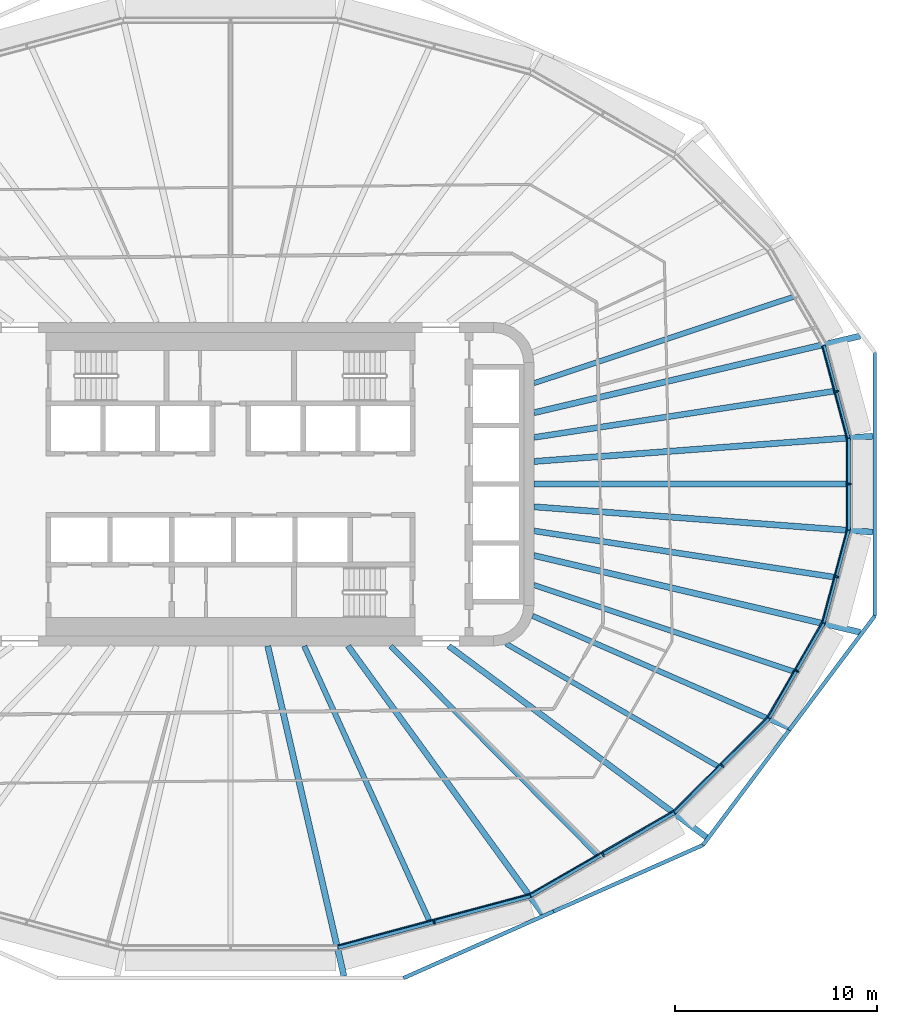
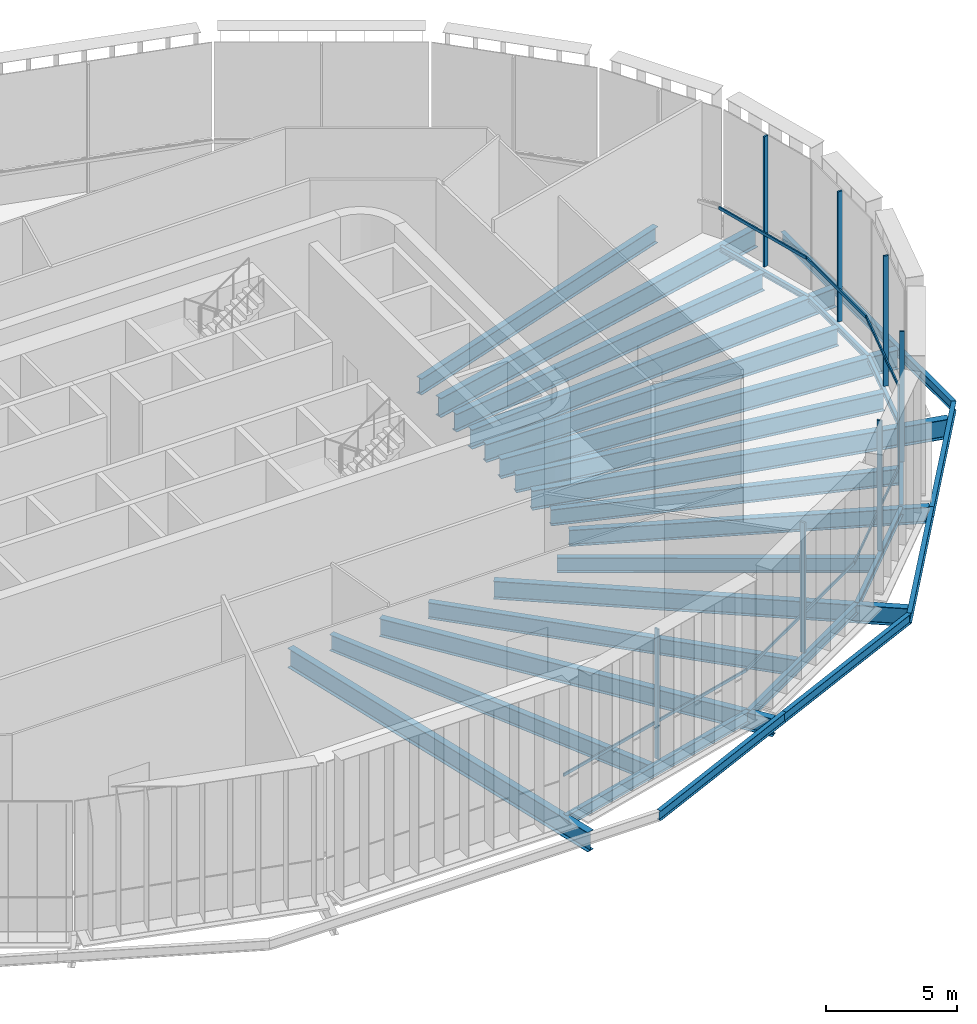
# One storey, part 3 of 18: 28 beams, 14 members, 7 elements without a shape of their own.
"""IFC4 building model written with IfcOpenShell, lengths in metres."""

from ifc_helpers import new_model, si_unit, direction, frame, origin, origin_2d, place, context, subcontext, project, spatial, rectangle, i_section, extrude, material, layer, layer_set, material_profile, profile_set, type_object, element, aggregate, save


model = new_model("IFC4")

# Units and contexts
model_context = context("Model", 3, precision=1e-05, world=origin(), true_north=direction((0.0, 1.0)))
body_context = subcontext(model_context, "Body", "Model", "MODEL_VIEW")
ifc_project = project(units=[si_unit("LENGTHUNIT", "METRE"), si_unit("AREAUNIT", "SQUARE_METRE"), si_unit("VOLUMEUNIT", "CUBIC_METRE"), si_unit("PLANEANGLEUNIT", "RADIAN"), si_unit("MASSUNIT", "GRAM", prefix="KILO")], contexts=[model_context])

# Site, building, storey
site_placement = place(None, origin())
site = spatial("IfcSite", under=ifc_project, at=site_placement, CompositionType="ELEMENT")
building_placement = place(site_placement, origin())
building = spatial("IfcBuilding", under=site, at=building_placement, Name="Sahrelin Media Tower", CompositionType="ELEMENT")
storey_placement = place(building_placement, frame((0.0, 0.0, 203.0)))
storey = spatial("IfcBuildingStorey", under=building, at=storey_placement, Name="L43", CompositionType="ELEMENT", Elevation=203.0)

# Beams
ifc_material_1 = material(Name="Steel S355", Category="steel")
ifc_material_profile_1 = material_profile(ifc_material_1, i_section(OverallWidth=0.14599609375, OverallDepth=0.25146484375, WebThickness=0.006103515625, FlangeThickness=0.008544921875, FilletRadius=0.007568359375, at=origin_2d()), Name="UB 254x146x31")
ifc_profile_set_1 = profile_set([ifc_material_profile_1], Name="Steel S355")
beam_type_1 = type_object("IfcBeamType", Name="Edge beam EB1", PredefinedType="BEAM", material=ifc_profile_set_1)
beam_1_placement = place(storey_placement, frame((30.56298828125, 2.2607421875, -0.32568359375), z_axis=(0.0, -1.0, 0.0), x_axis=(1.0, 0.0, 0.0)))
element("IfcBeam", 1, at=beam_1_placement, inside=storey, type_object=beam_type_1, Name="Edge beam L43-01", PredefinedType="BEAM", context=body_context, shape_type="SweptSolid", body=[
    extrude(i_section(OverallWidth=0.14599609375, OverallDepth=0.25146484375, WebThickness=0.006103515625, FlangeThickness=0.008544921875, FilletRadius=0.007568359375, at=origin_2d()), origin(), (0.0, 0.0, 1.0), 4.521484375),
])
for number, where, z_axis, x_axis, name in (
    (2, (30.55908203125, -2.289306640625, -0.32568359375), (-0.258792820704, -0.965932852714, 0.0), (0.965932852714, -0.258792820704, 0.0), "Edge beam L43-02"),
    (3, (29.33447265625, 6.860107421875, -0.32568359375), (0.258792820704, -0.965932852714, 0.0), (0.965932852714, 0.258792820704, 0.0), "Edge beam L43-24"),
):
    element("IfcBeam", number, at=place(storey_placement, frame(where, z_axis=z_axis, x_axis=x_axis)), inside=storey, type_object=beam_type_1, Name=name, PredefinedType="BEAM", context=body_context, shape_type="SweptSolid", body=[
        extrude(i_section(OverallWidth=0.14599609375, OverallDepth=0.25146484375, WebThickness=0.006103515625, FlangeThickness=0.008544921875, FilletRadius=0.007568359375, at=origin_2d()), origin(), (0.0, 0.0, 1.0), 4.73193359375),
    ])
ifc_material_profile_2 = material_profile(ifc_material_1, i_section(OverallWidth=0.1650390625, OverallDepth=0.303466796875, WebThickness=0.006103515625, FlangeThickness=0.01025390625, FilletRadius=0.0087890625, at=origin_2d()), Name="UB 305x165x40")
ifc_profile_set_2 = profile_set([ifc_material_profile_2], Name="Steel S355")
beam_type_2 = type_object("IfcBeamType", Name="Edge beam EB2", PredefinedType="BEAM", material=ifc_profile_set_2)
beam_2_placement = place(storey_placement, frame((29.323486328125, -6.88671875, -0.351806640625), z_axis=(-0.500004571255, -0.866022764553, 0.0), x_axis=(0.866022764553, -0.500004571255, 0.0)))
element("IfcBeam", 4, at=beam_2_placement, inside=storey, type_object=beam_type_2, Name="Edge beam L43-03", PredefinedType="BEAM", context=body_context, shape_type="SweptSolid", body=[
    extrude(i_section(OverallWidth=0.1650390625, OverallDepth=0.303466796875, WebThickness=0.006103515625, FlangeThickness=0.01025390625, FilletRadius=0.0087890625, at=origin_2d()), origin(), (0.0, 0.0, 1.0), 5.3935546875),
])
ifc_material_profile_3 = material_profile(ifc_material_1, i_section(OverallWidth=0.17138671875, OverallDepth=0.35498046875, WebThickness=0.00732421875, FlangeThickness=0.011474609375, FilletRadius=0.01025390625, at=origin_2d()), Name="UB 356x171x51")
ifc_profile_set_3 = profile_set([ifc_material_profile_3], Name="Steel S355")
beam_type_3 = type_object("IfcBeamType", Name="Edge beam EB3", PredefinedType="BEAM", material=ifc_profile_set_3)
beam_3_placement = place(storey_placement, frame((26.609130859375, -11.58056640625, -0.37744140625), z_axis=(-0.707106781187, -0.707106781187, 0.0), x_axis=(0.707106781187, -0.707106781187, 0.0)))
element("IfcBeam", 5, at=beam_3_placement, inside=storey, type_object=beam_type_3, Name="Edge beam L43-04", PredefinedType="BEAM", context=body_context, shape_type="SweptSolid", body=[
    extrude(i_section(OverallWidth=0.17138671875, OverallDepth=0.35498046875, WebThickness=0.00732421875, FlangeThickness=0.011474609375, FilletRadius=0.01025390625, at=origin_2d()), origin(), (0.0, 0.0, 1.0), 6.566650390625),
])
ifc_material_profile_4 = material_profile(ifc_material_1, i_section(OverallWidth=0.1904296875, OverallDepth=0.45703125, WebThickness=0.009033203125, FlangeThickness=0.014404296875, FilletRadius=0.01025390625, at=origin_2d()), Name="UB 457x191x74")
ifc_profile_set_4 = profile_set([ifc_material_profile_4], Name="Steel S355")
beam_type_4 = type_object("IfcBeamType", Name="Edge beam EB5", PredefinedType="BEAM", material=ifc_profile_set_4)
beam_4_placement = place(storey_placement, frame((21.943115234375, -16.2412109375, -0.428466796875), z_axis=(-0.866017504342, -0.500013681986, 0.0), x_axis=(0.500013681986, -0.866017504342, 0.0)))
element("IfcBeam", 6, at=beam_4_placement, inside=storey, type_object=beam_type_4, Name="Edge beam L43-05", PredefinedType="BEAM", context=body_context, shape_type="SweptSolid", body=[
    extrude(i_section(OverallWidth=0.1904296875, OverallDepth=0.45703125, WebThickness=0.009033203125, FlangeThickness=0.014404296875, FilletRadius=0.01025390625, at=origin_2d()), origin(), (0.0, 0.0, 1.0), 8.199951171875),
])
ifc_material_profile_5 = material_profile(ifc_material_1, i_section(OverallWidth=0.208740234375, OverallDepth=0.5283203125, WebThickness=0.009521484375, FlangeThickness=0.01318359375, FilletRadius=0.0126953125, at=origin_2d()), Name="UB 533x210x82")
ifc_profile_set_5 = profile_set([ifc_material_profile_5], Name="Steel S355")
beam_type_5 = type_object("IfcBeamType", Name="Edge beam EB6", PredefinedType="BEAM", material=ifc_profile_set_5)
beam_5_placement = place(storey_placement, frame((14.815185546875, -20.352294921875, -0.464111328125), z_axis=(-0.965925344351, -0.258820843714, 0.0), x_axis=(0.258820843714, -0.965925344351, 0.0)))
element("IfcBeam", 7, at=beam_5_placement, inside=storey, type_object=beam_type_5, Name="Edge beam L43-06", PredefinedType="BEAM", context=body_context, shape_type="SweptSolid", body=[
    extrude(i_section(OverallWidth=0.208740234375, OverallDepth=0.5283203125, WebThickness=0.009521484375, FlangeThickness=0.01318359375, FilletRadius=0.0126953125, at=origin_2d()), origin(), (0.0, 0.0, 1.0), 9.83837890625),
])

# Curtain wall, member
ifc_material_2 = material(Name="Champagne anodised aluminium 6063-T6", Category="aluminium")
ifc_layer = layer(ifc_material_2, 0.14990234375)
ifc_layer_set = layer_set([ifc_layer], Name="Sky lobby curtain wall")
curtain_wall_type = type_object("IfcCurtainWallType", Name="Sky lobby curtain wall", PredefinedType="NOTDEFINED", material=ifc_layer_set)
curtain_wall_1_placement = place(storey_placement, frame((30.712890625, 0.0, 0.0), z_axis=(0.0, 0.0, 1.0), x_axis=(1.0, 0.0, 0.0)))
curtain_wall_1 = element("IfcCurtainWall", 8, at=curtain_wall_1_placement, inside=storey, type_object=curtain_wall_type, Name="L43:CW:L43-00", PredefinedType="NOTDEFINED")
ifc_material_profile_6 = material_profile(ifc_material_2, rectangle(XDim=0.080078125, YDim=0.199951171875, at=origin_2d()), Name="Mullion 80x200")
ifc_profile_set_6 = profile_set([ifc_material_profile_6], Name="Champagne anodised aluminium 6063-T6")
member_type_1 = type_object("IfcMemberType", Name="Mullion 80x200 CW2", PredefinedType="MULLION", material=ifc_profile_set_6)
member_1_placement = place(storey_placement, frame((30.593017578125, 0.0, 0.0), z_axis=(0.0, 0.0, 1.0), x_axis=(0.0, 1.0, 0.0)))
member_1 = element("IfcMember", 9, at=member_1_placement, type_object=member_type_1, Name="L43:CWM:L43-00", PredefinedType="MULLION", context=body_context, shape_type="SweptSolid", body=[
    extrude(rectangle(XDim=0.080078125, YDim=0.199951171875, at=origin_2d()), origin(), (0.0, 0.0, 1.0), 6.048583984375),
])

curtain_wall_2_placement = place(storey_placement, frame((30.091796875, 4.613525390625, 0.0), z_axis=(0.0, 0.0, 1.0), x_axis=(1.0, 0.0, 0.0)))
curtain_wall_2 = element("IfcCurtainWall", 10, at=curtain_wall_2_placement, inside=storey, type_object=curtain_wall_type, Name="L43:CW:L43-01", PredefinedType="NOTDEFINED")
member_2_placement = place(storey_placement, frame((29.975830078125, 4.58251953125, 0.0), z_axis=(0.0, 0.0, 1.0), x_axis=(-0.258822416818, 0.965924922834, 0.0)))
member_2 = element("IfcMember", 11, at=member_2_placement, type_object=member_type_1, Name="L43:CWM:L43-01", PredefinedType="MULLION", context=body_context, shape_type="SweptSolid", body=[
    extrude(rectangle(XDim=0.080078125, YDim=0.199951171875, at=origin_2d()), origin(), (0.0, 0.0, 1.0), 6.048583984375),
])

curtain_wall_3_placement = place(storey_placement, frame((10.102294921875, -21.7705078125, 0.0), z_axis=(0.0, 0.0, 1.0), x_axis=(1.0, 0.0, 0.0)))
curtain_wall_3 = element("IfcCurtainWall", 12, at=curtain_wall_3_placement, inside=storey, type_object=curtain_wall_type, Name="L43:CW:L43-19", PredefinedType="NOTDEFINED")
member_3_placement = place(storey_placement, frame((10.0712890625, -21.654296875, 0.0), z_axis=(0.0, 0.0, 1.0), x_axis=(0.965924922834, 0.258822416818, 0.0)))
member_3 = element("IfcMember", 13, at=member_3_placement, type_object=member_type_1, Name="L43:CWM:L43-19", PredefinedType="MULLION", context=body_context, shape_type="SweptSolid", body=[
    extrude(rectangle(XDim=0.080078125, YDim=0.199951171875, at=origin_2d()), origin(), (0.0, 0.0, 1.0), 6.048583984375),
])

curtain_wall_4_placement = place(storey_placement, frame((18.46728515625, -18.421142578125, 0.0), z_axis=(0.0, 0.0, 1.0), x_axis=(1.0, 0.0, 0.0)))
curtain_wall_4 = element("IfcCurtainWall", 14, at=curtain_wall_4_placement, inside=storey, type_object=curtain_wall_type, Name="L43:CW:L43-20", PredefinedType="NOTDEFINED")
member_4_placement = place(storey_placement, frame((18.407470703125, -18.3173828125, 0.0), z_axis=(0.0, 0.0, 1.0), x_axis=(0.866027149108, 0.499996976998, 0.0)))
member_4 = element("IfcMember", 15, at=member_4_placement, type_object=member_type_1, Name="L43:CWM:L43-20", PredefinedType="MULLION", context=body_context, shape_type="SweptSolid", body=[
    extrude(rectangle(XDim=0.080078125, YDim=0.199951171875, at=origin_2d()), origin(), (0.0, 0.0, 1.0), 6.048583984375),
])

curtain_wall_5_placement = place(storey_placement, frame((24.3935546875, -14.00830078125, 0.0), z_axis=(0.0, 0.0, 1.0), x_axis=(1.0, 0.0, 0.0)))
curtain_wall_5 = element("IfcCurtainWall", 16, at=curtain_wall_5_placement, inside=storey, type_object=curtain_wall_type, Name="L43:CW:L43-21", PredefinedType="NOTDEFINED")
member_5_placement = place(storey_placement, frame((24.30859375, -13.92333984375, 0.0), z_axis=(0.0, 0.0, 1.0), x_axis=(0.707106781187, 0.707106781187, 0.0)))
member_5 = element("IfcMember", 17, at=member_5_placement, type_object=member_type_1, Name="L43:CWM:L43-21", PredefinedType="MULLION", context=body_context, shape_type="SweptSolid", body=[
    extrude(rectangle(XDim=0.080078125, YDim=0.199951171875, at=origin_2d()), origin(), (0.0, 0.0, 1.0), 6.048583984375),
])

curtain_wall_6_placement = place(storey_placement, frame((28.10498046875, -9.297119140625, 0.0), z_axis=(0.0, 0.0, 1.0), x_axis=(1.0, 0.0, 0.0)))
curtain_wall_6 = element("IfcCurtainWall", 18, at=curtain_wall_6_placement, inside=storey, type_object=curtain_wall_type, Name="L43:CW:L43-22", PredefinedType="NOTDEFINED")
member_6_placement = place(storey_placement, frame((28.001220703125, -9.2373046875, 0.0), z_axis=(0.0, 0.0, 1.0), x_axis=(0.500003022996, 0.86602365845, 0.0)))
member_6 = element("IfcMember", 19, at=member_6_placement, type_object=member_type_1, Name="L43:CWM:L43-22", PredefinedType="MULLION", context=body_context, shape_type="SweptSolid", body=[
    extrude(rectangle(XDim=0.080078125, YDim=0.199951171875, at=origin_2d()), origin(), (0.0, 0.0, 1.0), 6.048583984375),
])

curtain_wall_7_placement = place(storey_placement, frame((30.091796875, -4.613525390625, 0.0), z_axis=(0.0, 0.0, 1.0), x_axis=(1.0, 0.0, 0.0)))
curtain_wall_7 = element("IfcCurtainWall", 20, at=curtain_wall_7_placement, inside=storey, type_object=curtain_wall_type, Name="L43:CW:L43-23", PredefinedType="NOTDEFINED")
member_7_placement = place(storey_placement, frame((29.975830078125, -4.58251953125, 0.0), z_axis=(0.0, 0.0, 1.0), x_axis=(0.258822416818, 0.965924922834, 0.0)))
member_7 = element("IfcMember", 21, at=member_7_placement, type_object=member_type_1, Name="L43:CWM:L43-23", PredefinedType="MULLION", context=body_context, shape_type="SweptSolid", body=[
    extrude(rectangle(XDim=0.080078125, YDim=0.199951171875, at=origin_2d()), origin(), (0.0, 0.0, 1.0), 6.048583984375),
])

# Beams
ifc_material_profile_7 = material_profile(ifc_material_1, i_section(OverallWidth=0.291748046875, OverallDepth=0.8349609375, WebThickness=0.013916015625, FlangeThickness=0.018798828125, FilletRadius=0.017822265625, at=origin_2d()), Name="UB 838x292x176")
ifc_profile_set_7 = profile_set([ifc_material_profile_7], Name="Steel S355")
beam_type_6 = type_object("IfcBeamType", Name="Radial primary beam PB10", PredefinedType="BEAM", material=ifc_profile_set_7)
beam_6_placement = place(storey_placement, frame((5.81298828125, -8.0, -0.617431640625), z_axis=(0.587812672257, -0.808997071895, 0.0), x_axis=(0.808997071895, 0.587812672257, 0.0)))
element("IfcBeam", 22, at=beam_6_placement, inside=storey, type_object=beam_type_6, Name="Radial beam L43-20", PredefinedType="BEAM", context=body_context, shape_type="SweptSolid", body=[
    extrude(i_section(OverallWidth=0.291748046875, OverallDepth=0.8349609375, WebThickness=0.013916015625, FlangeThickness=0.018798828125, FilletRadius=0.017822265625, at=origin_2d()), origin(), (0.0, 0.0, 1.0), 16.3779296875),
])
beam_7_placement = place(storey_placement, frame((10.78515625, -8.0, -0.617431640625), z_axis=(0.803161934707, -0.595760779708, 0.0), x_axis=(0.595760779708, 0.803161934707, 0.0)))
element("IfcBeam", 23, at=beam_7_placement, inside=storey, type_object=beam_type_6, Name="Radial beam L43-21", PredefinedType="BEAM", context=body_context, shape_type="SweptSolid", body=[
    extrude(i_section(OverallWidth=0.291748046875, OverallDepth=0.8349609375, WebThickness=0.013916015625, FlangeThickness=0.018798828125, FilletRadius=0.017822265625, at=origin_2d()), origin(), (0.0, 0.0, 1.0), 15.862060546875),
])
ifc_material_profile_8 = material_profile(ifc_material_1, i_section(OverallWidth=0.30322265625, OverallDepth=0.903076171875, WebThickness=0.01513671875, FlangeThickness=0.020263671875, FilletRadius=0.01904296875, at=origin_2d()), Name="UB 914x305x201")
ifc_profile_set_8 = profile_set([ifc_material_profile_8], Name="Steel S355")
beam_type_7 = type_object("IfcBeamType", Name="Radial primary beam PB11", PredefinedType="BEAM", material=ifc_profile_set_8)
beam_8_placement = place(storey_placement, frame((15.0, 1.120849609375, -0.651611328125), z_axis=(0.997219244381, 0.074523678357, 0.0), x_axis=(-0.074523678357, 0.997219244381, 0.0)))
element("IfcBeam", 24, at=beam_8_placement, inside=storey, type_object=beam_type_7, Name="Radial beam L43-01", PredefinedType="BEAM", context=body_context, shape_type="SweptSolid", body=[
    extrude(i_section(OverallWidth=0.30322265625, OverallDepth=0.903076171875, WebThickness=0.01513671875, FlangeThickness=0.020263671875, FilletRadius=0.01904296875, at=origin_2d()), origin(), (0.0, 0.0, 1.0), 16.79931640625),
])
beam_9_placement = place(storey_placement, frame((15.0, 3.5283203125, -0.651611328125), z_axis=(0.973430699068, 0.228981820484, 0.0), x_axis=(-0.228981820484, 0.973430699068, 0.0)))
element("IfcBeam", 25, at=beam_9_placement, inside=storey, type_object=beam_type_7, Name="Radial beam L43-02", PredefinedType="BEAM", context=body_context, shape_type="SweptSolid", body=[
    extrude(i_section(OverallWidth=0.30322265625, OverallDepth=0.903076171875, WebThickness=0.01513671875, FlangeThickness=0.020263671875, FilletRadius=0.01904296875, at=origin_2d()), origin(), (0.0, 0.0, 1.0), 16.562255859375),
])
beam_10_placement = place(storey_placement, frame((1.845458984375, -8.0, -0.651611328125), z_axis=(0.224776450288, -0.97441035883, 0.0), x_axis=(0.97441035883, 0.224776450288, 0.0)))
element("IfcBeam", 26, at=beam_10_placement, inside=storey, type_object=beam_type_7, Name="Radial beam L43-19", PredefinedType="BEAM", context=body_context, shape_type="SweptSolid", body=[
    extrude(i_section(OverallWidth=0.30322265625, OverallDepth=0.903076171875, WebThickness=0.01513671875, FlangeThickness=0.020263671875, FilletRadius=0.01904296875, at=origin_2d()), origin(), (0.0, 0.0, 1.0), 16.7451171875),
])
beam_11_placement = place(storey_placement, frame((15.0, -3.5283203125, -0.651611328125), z_axis=(0.973430699068, -0.228981820484, 0.0), x_axis=(0.228981820484, 0.973430699068, 0.0)))
element("IfcBeam", 27, at=beam_11_placement, inside=storey, type_object=beam_type_7, Name="Radial beam L43-23", PredefinedType="BEAM", context=body_context, shape_type="SweptSolid", body=[
    extrude(i_section(OverallWidth=0.30322265625, OverallDepth=0.903076171875, WebThickness=0.01513671875, FlangeThickness=0.020263671875, FilletRadius=0.01904296875, at=origin_2d()), origin(), (0.0, 0.0, 1.0), 16.562255859375),
])
beam_12_placement = place(storey_placement, frame((15.0, -1.120849609375, -0.651611328125), z_axis=(0.997219244381, -0.074523678357, 0.0), x_axis=(0.074523678357, 0.997219244381, 0.0)))
element("IfcBeam", 28, at=beam_12_placement, inside=storey, type_object=beam_type_7, Name="Radial beam L43-24", PredefinedType="BEAM", context=body_context, shape_type="SweptSolid", body=[
    extrude(i_section(OverallWidth=0.30322265625, OverallDepth=0.903076171875, WebThickness=0.01513671875, FlangeThickness=0.020263671875, FilletRadius=0.01904296875, at=origin_2d()), origin(), (0.0, 0.0, 1.0), 16.79931640625),
])
ifc_material_profile_9 = material_profile(ifc_material_1, i_section(OverallWidth=0.26513671875, OverallDepth=0.75390625, WebThickness=0.0126953125, FlangeThickness=0.017578125, FilletRadius=0.0166015625, at=origin_2d()), Name="UB 762x267x147")
ifc_profile_set_9 = profile_set([ifc_material_profile_9], Name="Steel S355")
beam_type_8 = type_object("IfcBeamType", Name="Radial primary beam PB9", PredefinedType="BEAM", material=ifc_profile_set_9)
beam_13_placement = place(storey_placement, frame((14.9326171875, -6.5126953125, -0.576904296875), z_axis=(0.916606423673, -0.399790775384, 0.0), x_axis=(0.399790775384, 0.916606423673, 0.0)))
element("IfcBeam", 29, at=beam_13_placement, inside=storey, type_object=beam_type_8, Name="Radial beam L43-22", PredefinedType="BEAM", context=body_context, shape_type="SweptSolid", body=[
    extrude(i_section(OverallWidth=0.26513671875, OverallDepth=0.75390625, WebThickness=0.0126953125, FlangeThickness=0.017578125, FilletRadius=0.0166015625, at=origin_2d()), origin(), (0.0, 0.0, 1.0), 13.806640625),
])
ifc_material_profile_10 = material_profile(ifc_material_1, i_section(OverallWidth=0.291748046875, OverallDepth=0.8349609375, WebThickness=0.013916015625, FlangeThickness=0.018798828125, FilletRadius=0.017822265625, at=origin_2d()), Name="UB 838x292x176")
ifc_profile_set_10 = profile_set([ifc_material_profile_10], Name="Steel S355")
beam_type_9 = type_object("IfcBeamType", Name="Radial secondary beam SB10", PredefinedType="BEAM", material=ifc_profile_set_10)
for number, where, z_axis, x_axis, name in (
    (30, (15.0, 2.31005859375, -0.617431640625), (0.98834747674, 0.152214536829, 0.0), (-0.152214536829, 0.98834747674, 0.0), "Secondary beam L43-01"),
    (31, (15.0, -2.31005859375, -0.617431640625), (0.98834747674, -0.152214536829, 0.0), (0.152214536829, 0.98834747674, 0.0), "Secondary beam L43-23"),
):
    element("IfcBeam", number, at=place(storey_placement, frame(where, z_axis=z_axis, x_axis=x_axis)), inside=storey, type_object=beam_type_9, Name=name, PredefinedType="BEAM", context=body_context, shape_type="SweptSolid", body=[
        extrude(i_section(OverallWidth=0.291748046875, OverallDepth=0.8349609375, WebThickness=0.013916015625, FlangeThickness=0.018798828125, FilletRadius=0.017822265625, at=origin_2d()), origin(), (0.0, 0.0, 1.0), 15.0400390625),
    ])
beam_14_placement = place(storey_placement, frame((15.0, 0.0, -0.617431640625), z_axis=(1.0, 0.0, 0.0), x_axis=(0.0, 1.0, 0.0)))
element("IfcBeam", 32, at=beam_14_placement, inside=storey, type_object=beam_type_9, Name="Secondary beam L43-24", PredefinedType="BEAM", context=body_context, shape_type="SweptSolid", body=[
    extrude(i_section(OverallWidth=0.291748046875, OverallDepth=0.8349609375, WebThickness=0.013916015625, FlangeThickness=0.018798828125, FilletRadius=0.017822265625, at=origin_2d()), origin(), (0.0, 0.0, 1.0), 15.489990234375),
])
ifc_material_profile_11 = material_profile(ifc_material_1, i_section(OverallWidth=0.2529296875, OverallDepth=0.677978515625, WebThickness=0.01171875, FlangeThickness=0.01611328125, FilletRadius=0.01513671875, at=origin_2d()), Name="UB 686x254x125")
ifc_profile_set_11 = profile_set([ifc_material_profile_11], Name="Steel S355")
beam_type_10 = type_object("IfcBeamType", Name="Radial secondary beam SB8", PredefinedType="BEAM", material=ifc_profile_set_11)
beam_15_placement = place(storey_placement, frame((13.625244140625, -7.88720703125, -0.538818359375), z_axis=(0.86545065699, -0.500994171938, 0.0), x_axis=(0.500994171938, 0.86545065699, 0.0)))
element("IfcBeam", 33, at=beam_15_placement, inside=storey, type_object=beam_type_10, Name="Secondary beam L43-21", PredefinedType="BEAM", context=body_context, shape_type="SweptSolid", body=[
    extrude(i_section(OverallWidth=0.2529296875, OverallDepth=0.677978515625, WebThickness=0.01171875, FlangeThickness=0.01611328125, FilletRadius=0.01513671875, at=origin_2d()), origin(), (0.0, 0.0, 1.0), 12.115966796875),
])
ifc_material_profile_12 = material_profile(ifc_material_1, i_section(OverallWidth=0.26513671875, OverallDepth=0.75390625, WebThickness=0.0126953125, FlangeThickness=0.017578125, FilletRadius=0.0166015625, at=origin_2d()), Name="UB 762x267x147")
ifc_profile_set_12 = profile_set([ifc_material_profile_12], Name="Steel S355")
beam_type_11 = type_object("IfcBeamType", Name="Radial secondary beam SB9", PredefinedType="BEAM", material=ifc_profile_set_12)
beam_16_placement = place(storey_placement, frame((15.0, 4.989990234375, -0.576904296875), z_axis=(0.948875953334, 0.315649212236, 0.0), x_axis=(-0.315649212236, 0.948875953334, 0.0)))
element("IfcBeam", 34, at=beam_16_placement, inside=storey, type_object=beam_type_11, Name="Secondary beam L43-02", PredefinedType="BEAM", context=body_context, shape_type="SweptSolid", body=[
    extrude(i_section(OverallWidth=0.26513671875, OverallDepth=0.75390625, WebThickness=0.0126953125, FlangeThickness=0.017578125, FilletRadius=0.0166015625, at=origin_2d()), origin(), (0.0, 0.0, 1.0), 13.547119140625),
])
beam_17_placement = place(storey_placement, frame((3.645263671875, -8.0, -0.576904296875), z_axis=(0.414626182867, -0.909991828799, 0.0), x_axis=(0.909991828799, 0.414626182867, 0.0)))
element("IfcBeam", 35, at=beam_17_placement, inside=storey, type_object=beam_type_11, Name="Secondary beam L43-19", PredefinedType="BEAM", context=body_context, shape_type="SweptSolid", body=[
    extrude(i_section(OverallWidth=0.26513671875, OverallDepth=0.75390625, WebThickness=0.0126953125, FlangeThickness=0.017578125, FilletRadius=0.0166015625, at=origin_2d()), origin(), (0.0, 0.0, 1.0), 14.922607421875),
])
beam_18_placement = place(storey_placement, frame((7.921630859375, -8.0, -0.576904296875), z_axis=(0.70361995026, -0.710576502283, 0.0), x_axis=(0.710576502283, 0.70361995026, 0.0)))
element("IfcBeam", 36, at=beam_18_placement, inside=storey, type_object=beam_type_11, Name="Secondary beam L43-20", PredefinedType="BEAM", context=body_context, shape_type="SweptSolid", body=[
    extrude(i_section(OverallWidth=0.26513671875, OverallDepth=0.75390625, WebThickness=0.0126953125, FlangeThickness=0.017578125, FilletRadius=0.0166015625, at=origin_2d()), origin(), (0.0, 0.0, 1.0), 14.529296875),
])
beam_19_placement = place(storey_placement, frame((15.0, -4.989990234375, -0.576904296875), z_axis=(0.948875953334, -0.315649212236, 0.0), x_axis=(0.315649212236, 0.948875953334, 0.0)))
element("IfcBeam", 37, at=beam_19_placement, inside=storey, type_object=beam_type_11, Name="Secondary beam L43-22", PredefinedType="BEAM", context=body_context, shape_type="SweptSolid", body=[
    extrude(i_section(OverallWidth=0.26513671875, OverallDepth=0.75390625, WebThickness=0.0126953125, FlangeThickness=0.017578125, FilletRadius=0.0166015625, at=origin_2d()), origin(), (0.0, 0.0, 1.0), 13.547119140625),
])
ifc_material_profile_13 = material_profile(ifc_material_1, i_section(OverallWidth=0.1904296875, OverallDepth=0.45703125, WebThickness=0.009033203125, FlangeThickness=0.014404296875, FilletRadius=0.01025390625, at=origin_2d()), Name="UB 457x191x74")
ifc_profile_set_13 = profile_set([ifc_material_profile_13], Name="Steel S355")
beam_type_12 = type_object("IfcBeamType", Name="Tie chord TC5", PredefinedType="BEAM", material=ifc_profile_set_13)
beam_20_placement = place(storey_placement, frame((31.847900390625, 6.51220703125, -0.428466796875), z_axis=(0.0, -1.0, 0.0), x_axis=(1.0, 0.0, 0.0)))
element("IfcBeam", 38, at=beam_20_placement, inside=storey, type_object=beam_type_12, Name="Tie chord L43-01", PredefinedType="BEAM", context=body_context, shape_type="SweptSolid", body=[
    extrude(i_section(OverallWidth=0.1904296875, OverallDepth=0.45703125, WebThickness=0.009033203125, FlangeThickness=0.014404296875, FilletRadius=0.01025390625, at=origin_2d()), origin(), (0.0, 0.0, 1.0), 13.0244140625),
])
beam_21_placement = place(storey_placement, frame((31.847900390625, -6.51220703125, -0.428466796875), z_axis=(-0.600071899734, -0.799946070151, 0.0), x_axis=(0.799946070151, -0.600071899734, 0.0)))
element("IfcBeam", 39, at=beam_21_placement, inside=storey, type_object=beam_type_12, Name="Tie chord L43-02", PredefinedType="BEAM", context=body_context, shape_type="SweptSolid", body=[
    extrude(i_section(OverallWidth=0.1904296875, OverallDepth=0.45703125, WebThickness=0.009033203125, FlangeThickness=0.014404296875, FilletRadius=0.01025390625, at=origin_2d()), origin(), (0.0, 0.0, 1.0), 7.0625),
])
beam_22_placement = place(storey_placement, frame((27.60986328125, -12.161865234375, -0.428466796875), z_axis=(-0.5999724685, -0.800020647885, 0.0), x_axis=(0.800020647885, -0.5999724685, 0.0)))
element("IfcBeam", 40, at=beam_22_placement, inside=storey, type_object=beam_type_12, Name="Tie chord L43-03", PredefinedType="BEAM", context=body_context, shape_type="SweptSolid", body=[
    extrude(i_section(OverallWidth=0.1904296875, OverallDepth=0.45703125, WebThickness=0.009033203125, FlangeThickness=0.014404296875, FilletRadius=0.01025390625, at=origin_2d()), origin(), (0.0, 0.0, 1.0), 7.09423828125),
])
beam_23_placement = place(storey_placement, frame((23.353515625, -17.83740234375, -0.428466796875), z_axis=(-0.913836451226, -0.406082430562, 0.0), x_axis=(0.406082430562, -0.913836451226, 0.0)))
element("IfcBeam", 41, at=beam_23_placement, inside=storey, type_object=beam_type_12, Name="Tie chord L43-04", PredefinedType="BEAM", context=body_context, shape_type="SweptSolid", body=[
    extrude(i_section(OverallWidth=0.1904296875, OverallDepth=0.45703125, WebThickness=0.009033203125, FlangeThickness=0.014404296875, FilletRadius=0.01025390625, at=origin_2d()), origin(), (0.0, 0.0, 1.0), 8.0849609375),
])
beam_24_placement = place(storey_placement, frame((15.965087890625, -21.12060546875, -0.428466796875), z_axis=(-0.91383514844, -0.406085362301, 0.0), x_axis=(0.406085362301, -0.91383514844, 0.0)))
element("IfcBeam", 42, at=beam_24_placement, inside=storey, type_object=beam_type_12, Name="Tie chord L43-05", PredefinedType="BEAM", context=body_context, shape_type="SweptSolid", body=[
    extrude(i_section(OverallWidth=0.1904296875, OverallDepth=0.45703125, WebThickness=0.009033203125, FlangeThickness=0.014404296875, FilletRadius=0.01025390625, at=origin_2d()), origin(), (0.0, 0.0, 1.0), 8.104736328125),
])

# Member
ifc_material_profile_14 = material_profile(ifc_material_2, rectangle(XDim=0.06005859375, YDim=0.139892578125, at=origin_2d()), Name="Transom 60x140")
ifc_profile_set_14 = profile_set([ifc_material_profile_14], Name="Champagne anodised aluminium 6063-T6")
member_type_2 = type_object("IfcMemberType", Name="Transom 60x140 CW2", PredefinedType="USERDEFINED", material=ifc_profile_set_14)
member_8_placement = place(storey_placement, frame((30.462890625, -2.2451171875, 1.60009765625), z_axis=(0.0, 1.0, 0.0), x_axis=(-1.0, 0.0, 0.0)))
member_8 = element("IfcMember", 43, at=member_8_placement, type_object=member_type_2, Name="L43:CWT:L43-00", ObjectType="TRANSOM", PredefinedType="USERDEFINED", context=body_context, shape_type="SweptSolid", body=[
    extrude(rectangle(XDim=0.06005859375, YDim=0.139892578125, at=origin_2d()), origin(), (0.0, 0.0, 1.0), 4.490234375),
])

aggregate(curtain_wall_1, [member_1, member_8])

member_9_placement = place(storey_placement, frame((30.45849609375, 2.27880859375, 1.60009765625), z_axis=(-0.258816567232, 0.965926490229, 0.0), x_axis=(-0.965926490229, -0.258816567232, 0.0)))
member_9 = element("IfcMember", 44, at=member_9_placement, type_object=member_type_2, Name="L43:CWT:L43-01", ObjectType="TRANSOM", PredefinedType="USERDEFINED", context=body_context, shape_type="SweptSolid", body=[
    extrude(rectangle(XDim=0.06005859375, YDim=0.139892578125, at=origin_2d()), origin(), (0.0, 0.0, 1.0), 4.700439453125),
])

aggregate(curtain_wall_2, [member_2, member_9])

member_10_placement = place(storey_placement, frame((5.301513671875, -22.798095703125, 1.60009765625), z_axis=(0.9659206025, 0.258838539761, 0.0), x_axis=(-0.258838539761, 0.9659206025, 0.0)))
member_10 = element("IfcMember", 45, at=member_10_placement, type_object=member_type_2, Name="L43:CWT:L43-19", ObjectType="TRANSOM", PredefinedType="USERDEFINED", context=body_context, shape_type="SweptSolid", body=[
    extrude(rectangle(XDim=0.06005859375, YDim=0.139892578125, at=origin_2d()), origin(), (0.0, 0.0, 1.0), 9.806640625),
])

aggregate(curtain_wall_3, [member_3, member_10])

member_11_placement = place(storey_placement, frame((14.805419921875, -20.246826171875, 1.60009765625), z_axis=(0.866021832376, 0.500006185809, 0.0), x_axis=(-0.500006185809, 0.866021832376, 0.0)))
member_11 = element("IfcMember", 46, at=member_11_placement, type_object=member_type_2, Name="L43:CWT:L43-20", ObjectType="TRANSOM", PredefinedType="USERDEFINED", context=body_context, shape_type="SweptSolid", body=[
    extrude(rectangle(XDim=0.06005859375, YDim=0.139892578125, at=origin_2d()), origin(), (0.0, 0.0, 1.0), 8.16845703125),
])

aggregate(curtain_wall_4, [member_4, member_11])

member_12_placement = place(storey_placement, frame((21.90625, -16.14208984375, 1.60009765625), z_axis=(0.707106781187, 0.707106781187, 0.0), x_axis=(-0.707106781187, 0.707106781187, 0.0)))
member_12 = element("IfcMember", 47, at=member_12_placement, type_object=member_type_2, Name="L43:CWT:L43-21", ObjectType="TRANSOM", PredefinedType="USERDEFINED", context=body_context, shape_type="SweptSolid", body=[
    extrude(rectangle(XDim=0.06005859375, YDim=0.139892578125, at=origin_2d()), origin(), (0.0, 0.0, 1.0), 6.53515625),
])

aggregate(curtain_wall_5, [member_5, member_12])

member_13_placement = place(storey_placement, frame((26.548095703125, -11.493896484375, 1.60009765625), z_axis=(0.499993097703, 0.866029388791, 0.0), x_axis=(-0.866029388791, 0.499993097703, 0.0)))
member_13 = element("IfcMember", 48, at=member_13_placement, type_object=member_type_2, Name="L43:CWT:L43-22", ObjectType="TRANSOM", PredefinedType="USERDEFINED", context=body_context, shape_type="SweptSolid", body=[
    extrude(rectangle(XDim=0.06005859375, YDim=0.139892578125, at=origin_2d()), origin(), (0.0, 0.0, 1.0), 5.36181640625),
])

aggregate(curtain_wall_6, [member_6, member_13])

member_14_placement = place(storey_placement, frame((29.241943359375, -6.819091796875, 1.60009765625), z_axis=(0.258816567232, 0.965926490229, 0.0), x_axis=(-0.965926490229, 0.258816567232, 0.0)))
member_14 = element("IfcMember", 49, at=member_14_placement, type_object=member_type_2, Name="L43:CWT:L43-23", ObjectType="TRANSOM", PredefinedType="USERDEFINED", context=body_context, shape_type="SweptSolid", body=[
    extrude(rectangle(XDim=0.06005859375, YDim=0.139892578125, at=origin_2d()), origin(), (0.0, 0.0, 1.0), 4.700439453125),
])

aggregate(curtain_wall_7, [member_7, member_14])

save(model, "model.ifc")
